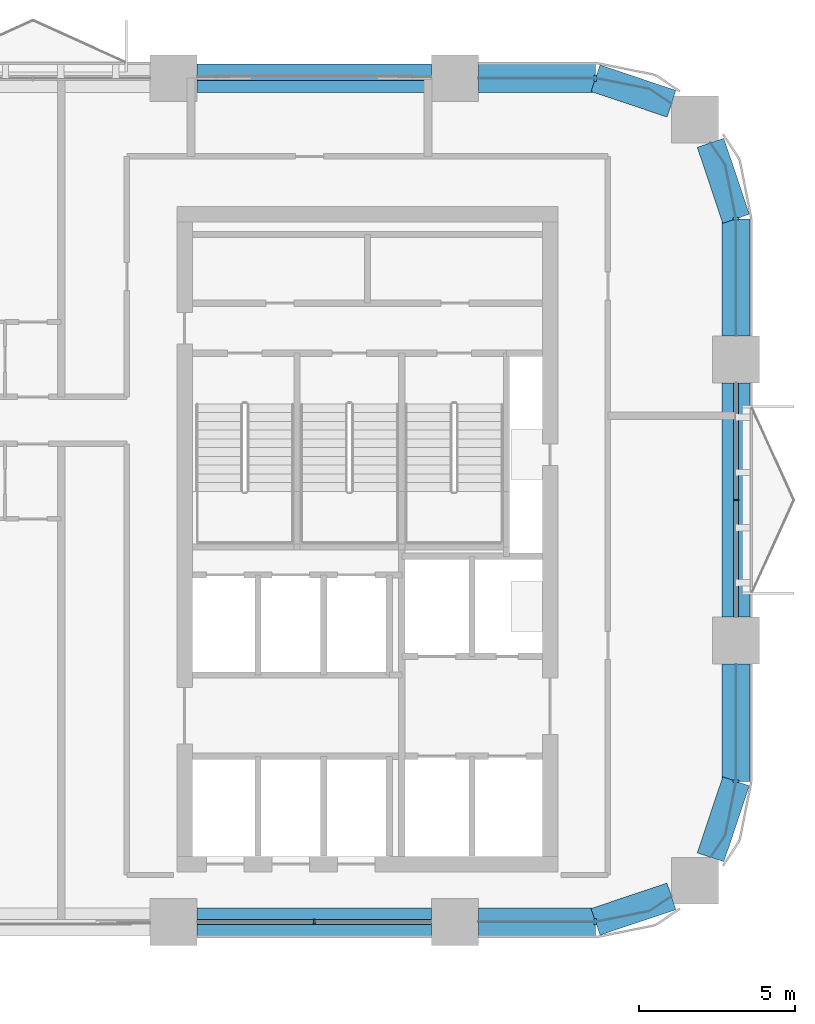
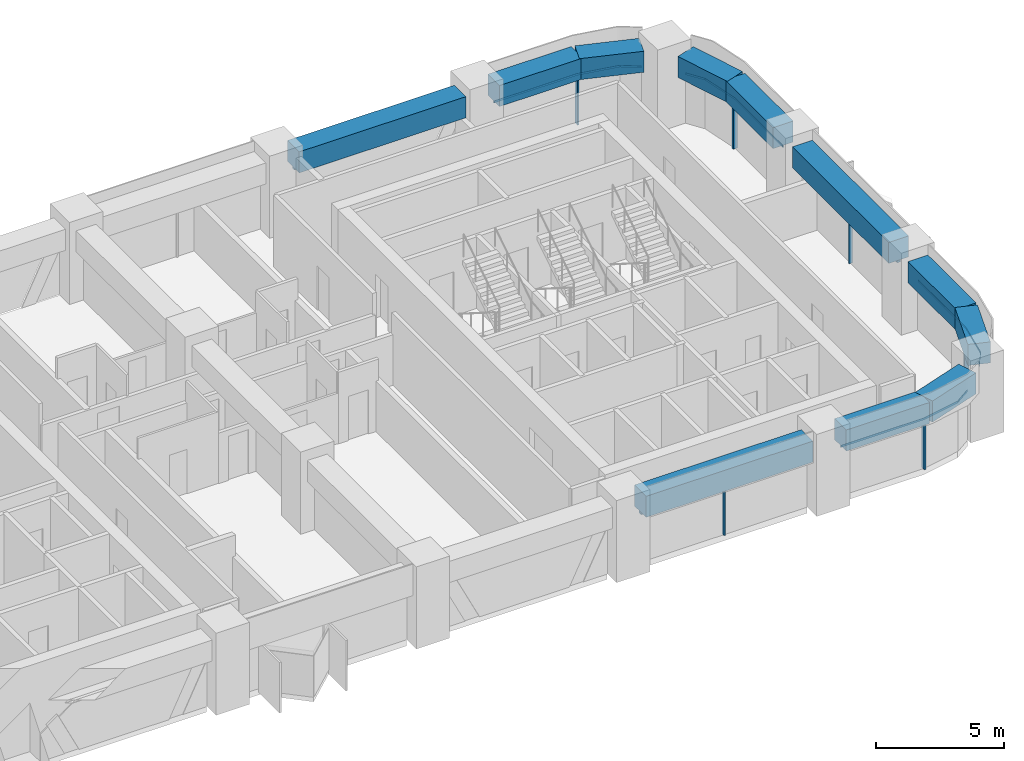
# One storey, part 5 of 14: 13 members, 11 beams, 7 elements without a shape of their own.
"""IFC4 building model written with IfcOpenShell, lengths in metres."""

from ifc_helpers import new_model, si_unit, direction, frame, origin, origin_2d, place, context, subcontext, project, spatial, polyline, rectangle, outline, extrude, material, material_profile, profile_set, type_object, element, aggregate, save


model = new_model("IFC4")

# Units and contexts
model_context = context("Model", 3, precision=1e-05, world=origin(), true_north=direction((0.0, 1.0)))
body_context = subcontext(model_context, "Body", "Model", "MODEL_VIEW")
ifc_project = project(units=[si_unit("LENGTHUNIT", "METRE"), si_unit("AREAUNIT", "SQUARE_METRE"), si_unit("VOLUMEUNIT", "CUBIC_METRE"), si_unit("PLANEANGLEUNIT", "RADIAN"), si_unit("MASSUNIT", "GRAM", prefix="KILO")], contexts=[model_context])

# Site, building, storey
site_placement = place(None, origin())
site = spatial("IfcSite", under=ifc_project, at=site_placement, CompositionType="ELEMENT")
building_placement = place(site_placement, origin())
building = spatial("IfcBuilding", under=site, at=building_placement, Name="Tessera Arch", CompositionType="ELEMENT")
storey_placement = place(building_placement, frame((0.0, 0.0, 193.39990234375)))
storey = spatial("IfcBuildingStorey", under=building, at=storey_placement, Name="L46", CompositionType="ELEMENT", Elevation=193.39990234375)

# Curtain wall, member
ifc_material_1 = material(Name="CW1 curtain wall")
curtain_wall_type_1 = type_object("IfcCurtainWallType", Name="CW1 curtain wall", PredefinedType="NOTDEFINED", material=ifc_material_1)
curtain_wall_1_placement = place(storey_placement, origin())
curtain_wall_1 = element("IfcCurtainWall", 1, at=curtain_wall_1_placement, inside=storey, type_object=curtain_wall_type_1, Name="CW1 curtain wall E54.27/0 L46", PredefinedType="NOTDEFINED")
ifc_material_2 = material(Name="Anodised aluminium pale metal", Category="aluminium")
ifc_material_profile_1 = material_profile(ifc_material_2, rectangle(XDim=0.159912109375, YDim=0.06005859375, at=origin_2d()), Name="AL 60x160")
ifc_profile_set_1 = profile_set([ifc_material_profile_1], Name="Anodised aluminium pale metal")
member_type_1 = type_object("IfcMemberType", Name="CW1 mullion", PredefinedType="MULLION", material=ifc_profile_set_1)
member_1_placement = place(storey_placement, frame((54.0, 40.5, 0.0), z_axis=(0.0, 0.0, 1.0), x_axis=(-1.0, 0.0, 0.0)))
member_1 = element("IfcMember", 2, at=member_1_placement, type_object=member_type_1, Name="CW1 mullion E54.27/0 1", PredefinedType="MULLION", context=body_context, shape_type="SweptSolid", body=[
    extrude(rectangle(XDim=0.159912109375, YDim=0.06005859375, at=origin_2d()), origin(), (0.0, 0.0, 1.0), 2.300048828125),
])

curtain_wall_2_placement = place(storey_placement, origin())
curtain_wall_2 = element("IfcCurtainWall", 3, at=curtain_wall_2_placement, inside=storey, type_object=curtain_wall_type_1, Name="CW1 curtain wall S27.0/4 L46", PredefinedType="NOTDEFINED")
member_2_placement = place(storey_placement, frame((40.5, 27.0, 0.0), z_axis=(0.0, 0.0, 1.0), x_axis=(0.0, 1.0, 0.0)))
member_2 = element("IfcMember", 4, at=member_2_placement, type_object=member_type_1, Name="CW1 mullion S27.0/4 1", PredefinedType="MULLION", context=body_context, shape_type="SweptSolid", body=[
    extrude(rectangle(XDim=0.159912109375, YDim=0.06005859375, at=origin_2d()), origin(), (0.0, 0.0, 1.0), 2.300048828125),
])

# Member
ifc_material_3 = material(Name="Anodised aluminium pale metal", Category="aluminium")
ifc_material_profile_2 = material_profile(ifc_material_3, rectangle(XDim=0.159912109375, YDim=0.10009765625, at=origin_2d()), Name="AL 160x100")
ifc_profile_set_2 = profile_set([ifc_material_profile_2], Name="Anodised aluminium pale metal")
member_type_2 = type_object("IfcMemberType", Name="CW1 transom", PredefinedType="USERDEFINED", material=ifc_profile_set_2)
member_3_placement = place(storey_placement, frame((54.0, 36.75, 2.35009765625), z_axis=(0.0, 1.0, 0.0), x_axis=(-1.0, 0.0, 0.0)))
member_3 = element("IfcMember", 5, at=member_3_placement, type_object=member_type_2, Name="CW1 transom E54.27/0 1.1", ObjectType="TRANSOM", PredefinedType="USERDEFINED", context=body_context, shape_type="SweptSolid", body=[
    extrude(rectangle(XDim=0.159912109375, YDim=0.10009765625, at=origin_2d()), origin(), (0.0, 0.0, 1.0), 7.5),
])

aggregate(curtain_wall_1, [member_1, member_3])

member_4_placement = place(storey_placement, frame((36.75, 27.0, 2.35009765625), z_axis=(1.0, 0.0, 0.0), x_axis=(0.0, 1.0, 0.0)))
member_4 = element("IfcMember", 6, at=member_4_placement, type_object=member_type_2, Name="CW1 transom S27.0/4 1.1", ObjectType="TRANSOM", PredefinedType="USERDEFINED", context=body_context, shape_type="SweptSolid", body=[
    extrude(rectangle(XDim=0.159912109375, YDim=0.10009765625, at=origin_2d()), origin(), (0.0, 0.0, 1.0), 7.5),
])

aggregate(curtain_wall_2, [member_2, member_4])

# Curtain wall, member
ifc_material_4 = material(Name="CW2 curtain wall")
curtain_wall_type_2 = type_object("IfcCurtainWallType", Name="CW2 curtain wall", PredefinedType="NOTDEFINED", material=ifc_material_4)
curtain_wall_3_placement = place(storey_placement, origin())
curtain_wall_3 = element("IfcCurtainWall", 7, at=curtain_wall_3_placement, inside=storey, type_object=curtain_wall_type_2, Name="CW2 curtain wall E54.27/1 L46", PredefinedType="NOTDEFINED")
ifc_material_5 = material(Name="Anodised aluminium pale metal", Category="aluminium")
ifc_material_profile_3 = material_profile(ifc_material_5, rectangle(XDim=0.199951171875, YDim=0.080078125, at=origin_2d()), Name="AL 80x200")
ifc_profile_set_3 = profile_set([ifc_material_profile_3], Name="Anodised aluminium pale metal")
member_type_3 = type_object("IfcMemberType", Name="CW2 mullion", PredefinedType="MULLION", material=ifc_profile_set_3)
member_5_placement = place(storey_placement, frame((54.0, 49.5, 0.0), z_axis=(0.0, 0.0, 1.0), x_axis=(-1.0, 0.0, 0.0)))
member_5 = element("IfcMember", 8, at=member_5_placement, type_object=member_type_3, Name="CW2 mullion E54.27/1 1", PredefinedType="MULLION", context=body_context, shape_type="SweptSolid", body=[
    extrude(rectangle(XDim=0.199951171875, YDim=0.080078125, at=origin_2d()), origin(), (0.0, 0.0, 1.0), 2.300048828125),
])

curtain_wall_4_placement = place(storey_placement, origin())
curtain_wall_4 = element("IfcCurtainWall", 9, at=curtain_wall_4_placement, inside=storey, type_object=curtain_wall_type_2, Name="CW2 curtain wall N54.0/0 L46", PredefinedType="NOTDEFINED")
member_6_placement = place(storey_placement, frame((49.5, 54.0, 0.0), z_axis=(0.0, 0.0, 1.0), x_axis=(0.0, -1.0, 0.0)))
member_6 = element("IfcMember", 10, at=member_6_placement, type_object=member_type_3, Name="CW2 mullion N54.0/0 1", PredefinedType="MULLION", context=body_context, shape_type="SweptSolid", body=[
    extrude(rectangle(XDim=0.199951171875, YDim=0.080078125, at=origin_2d()), origin(), (0.0, 0.0, 1.0), 2.300048828125),
])

curtain_wall_5_placement = place(storey_placement, origin())
curtain_wall_5 = element("IfcCurtainWall", 11, at=curtain_wall_5_placement, inside=storey, type_object=curtain_wall_type_2, Name="CW2 curtain wall S27.0/5 L46", PredefinedType="NOTDEFINED")
member_7_placement = place(storey_placement, frame((49.5, 27.0, 0.0), z_axis=(0.0, 0.0, 1.0), x_axis=(0.0, 1.0, 0.0)))
member_7 = element("IfcMember", 12, at=member_7_placement, type_object=member_type_3, Name="CW2 mullion S27.0/5 1", PredefinedType="MULLION", context=body_context, shape_type="SweptSolid", body=[
    extrude(rectangle(XDim=0.199951171875, YDim=0.080078125, at=origin_2d()), origin(), (0.0, 0.0, 1.0), 2.300048828125),
])

curtain_wall_6_placement = place(storey_placement, origin())
curtain_wall_6 = element("IfcCurtainWall", 13, at=curtain_wall_6_placement, inside=storey, type_object=curtain_wall_type_2, Name="CW2 curtain wall E54.27/2 L46", PredefinedType="NOTDEFINED")
member_8_placement = place(storey_placement, frame((54.0, 31.5, 0.0), z_axis=(0.0, 0.0, 1.0), x_axis=(-1.0, 0.0, 0.0)))
member_8 = element("IfcMember", 14, at=member_8_placement, type_object=member_type_3, Name="CW2 mullion E54.27/2 1", PredefinedType="MULLION", context=body_context, shape_type="SweptSolid", body=[
    extrude(rectangle(XDim=0.199951171875, YDim=0.080078125, at=origin_2d()), origin(), (0.0, 0.0, 1.0), 2.300048828125),
])

# Member
ifc_material_6 = material(Name="Anodised aluminium pale metal", Category="aluminium")
ifc_material_profile_4 = material_profile(ifc_material_6, rectangle(XDim=0.199951171875, YDim=0.10009765625, at=origin_2d()), Name="AL 200x100")
ifc_profile_set_4 = profile_set([ifc_material_profile_4], Name="Anodised aluminium pale metal")
member_type_4 = type_object("IfcMemberType", Name="CW2 transom", PredefinedType="USERDEFINED", material=ifc_profile_set_4)
member_9_placement = place(storey_placement, frame((0.0, 0.0, 2.300048828125)))
member_9 = element("IfcMember", 15, at=member_9_placement, type_object=member_type_4, Name="CW2 transom E54.27/1 1", ObjectType="TRANSOM", PredefinedType="USERDEFINED", context=body_context, shape_type="SweptSolid", body=[
    extrude(outline(polyline([(53.989990234375, 49.4990234375), (53.989990234375, 45.75), (54.010009765625, 45.75), (54.010009765625, 49.5009765625), (53.6669921875, 51.22607421875), (53.19140625, 51.9375), (53.1748046875, 51.926513671875), (53.648193359375, 51.21826171875), (53.989990234375, 49.4990234375)])), origin(), (0.0, 0.0, 1.0), 0.10009765625),
])

aggregate(curtain_wall_3, [member_5, member_9])

member_10_placement = place(storey_placement, frame((0.0, 0.0, 2.300048828125)))
member_10 = element("IfcMember", 16, at=member_10_placement, type_object=member_type_4, Name="CW2 transom N54.0/0 1", ObjectType="TRANSOM", PredefinedType="USERDEFINED", context=body_context, shape_type="SweptSolid", body=[
    extrude(outline(polyline([(51.21826171875, 53.648193359375), (51.926513671875, 53.1748046875), (51.9375, 53.19140625), (51.22607421875, 53.6669921875), (49.5009765625, 54.010009765625), (45.75, 54.010009765625), (45.75, 53.989990234375), (49.4990234375, 53.989990234375), (51.21826171875, 53.648193359375)])), origin(), (0.0, 0.0, 1.0), 0.10009765625),
])

aggregate(curtain_wall_4, [member_6, member_10])

member_11_placement = place(storey_placement, frame((0.0, 0.0, 2.300048828125)))
member_11 = element("IfcMember", 17, at=member_11_placement, type_object=member_type_4, Name="CW2 transom S27.0/5 1", ObjectType="TRANSOM", PredefinedType="USERDEFINED", context=body_context, shape_type="SweptSolid", body=[
    extrude(outline(polyline([(49.4990234375, 27.010009765625), (45.75, 27.010009765625), (45.75, 26.989990234375), (49.5009765625, 26.989990234375), (51.22607421875, 27.3330078125), (51.9375, 27.80859375), (51.926513671875, 27.8251953125), (51.21826171875, 27.351806640625), (49.4990234375, 27.010009765625)])), origin(), (0.0, 0.0, 1.0), 0.10009765625),
])

aggregate(curtain_wall_5, [member_7, member_11])

member_12_placement = place(storey_placement, frame((0.0, 0.0, 2.300048828125)))
member_12 = element("IfcMember", 18, at=member_12_placement, type_object=member_type_4, Name="CW2 transom E54.27/2 1", ObjectType="TRANSOM", PredefinedType="USERDEFINED", context=body_context, shape_type="SweptSolid", body=[
    extrude(outline(polyline([(53.648193359375, 29.78173828125), (53.1748046875, 29.073486328125), (53.19140625, 29.0625), (53.6669921875, 29.77392578125), (54.010009765625, 31.4990234375), (54.010009765625, 35.25), (53.989990234375, 35.25), (53.989990234375, 31.5009765625), (53.648193359375, 29.78173828125)])), origin(), (0.0, 0.0, 1.0), 0.10009765625),
])

aggregate(curtain_wall_6, [member_8, member_12])

# Curtain wall, member
ifc_material_7 = material(Name="CW3 curtain wall")
curtain_wall_type_3 = type_object("IfcCurtainWallType", Name="CW3 curtain wall", PredefinedType="NOTDEFINED", material=ifc_material_7)
curtain_wall_7_placement = place(storey_placement, origin())
curtain_wall_7 = element("IfcCurtainWall", 19, at=curtain_wall_7_placement, inside=storey, type_object=curtain_wall_type_3, Name="CW3 curtain wall N54.0/1 L46", PredefinedType="NOTDEFINED")
ifc_material_8 = material(Name="Anodised aluminium pale metal", Category="aluminium")
ifc_material_profile_5 = material_profile(ifc_material_8, rectangle(XDim=0.139892578125, YDim=0.10009765625, at=origin_2d()), Name="AL 140x100")
ifc_profile_set_5 = profile_set([ifc_material_profile_5], Name="Anodised aluminium pale metal")
member_type_5 = type_object("IfcMemberType", Name="CW3 transom", PredefinedType="USERDEFINED", material=ifc_profile_set_5)
member_13_placement = place(storey_placement, frame((44.25, 54.0, 2.35009765625), z_axis=(-1.0, 0.0, 0.0), x_axis=(0.0, -1.0, 0.0)))
member_13 = element("IfcMember", 20, at=member_13_placement, type_object=member_type_5, Name="CW3 transom N54.0/1 1.1", ObjectType="TRANSOM", PredefinedType="USERDEFINED", context=body_context, shape_type="SweptSolid", body=[
    extrude(rectangle(XDim=0.139892578125, YDim=0.10009765625, at=origin_2d()), origin(), (0.0, 0.0, 1.0), 7.5),
])
aggregate(curtain_wall_7, [member_13])

# Beams
ifc_material_9 = material(Name="Concrete C70/85", Category="concrete")
ifc_material_profile_6 = material_profile(ifc_material_9, rectangle(XDim=0.89990234375, YDim=1.0, at=origin_2d()), Name="RC spandrel beam 900 x 1000 Concrete C70/85")
ifc_profile_set_6 = profile_set([ifc_material_profile_6], Name="Concrete C70/85")
beam_type = type_object("IfcBeamType", Name="RC spandrel beam 900 x 1000 Concrete C70/85", PredefinedType="BEAM", material=ifc_profile_set_6)
beam_1_placement = place(storey_placement, frame((54.0, 36.75, 2.900146484375), z_axis=(0.0, 1.0, 0.0), x_axis=(-1.0, 0.0, 0.0)))
element("IfcBeam", 21, at=beam_1_placement, inside=storey, type_object=beam_type, Name="Spandrel beam L46 E54.27/0", PredefinedType="BEAM", context=body_context, shape_type="SweptSolid", body=[
    extrude(rectangle(XDim=0.89990234375, YDim=1.0, at=origin_2d()), origin(), (0.0, 0.0, 1.0), 7.5),
])
beam_2_placement = place(storey_placement, frame((54.0, 45.75, 2.900146484375), z_axis=(0.0, 1.0, 0.0), x_axis=(-1.0, 0.0, 0.0)))
element("IfcBeam", 22, at=beam_2_placement, inside=storey, type_object=beam_type, Name="Spandrel beam L46 E54.27/1.1", PredefinedType="BEAM", context=body_context, shape_type="SweptSolid", body=[
    extrude(rectangle(XDim=0.89990234375, YDim=1.0, at=origin_2d()), origin(), (0.0, 0.0, 1.0), 3.75),
])
for number, where, z_axis, x_axis, name in (
    (23, (54.0, 49.5, 2.900146484375), (-0.31842525032, 0.947947973234, 0.0), (-0.947947973234, -0.31842525032, 0.0), "Spandrel beam L46 E54.27/1.2"),
    (24, (51.931884765625, 53.18310546875, 2.900146484375), (-0.947947973234, 0.31842525032, 0.0), (-0.31842525032, -0.947947973234, 0.0), "Spandrel beam L46 N54.0/0.1"),
):
    element("IfcBeam", number, at=place(storey_placement, frame(where, z_axis=z_axis, x_axis=x_axis)), inside=storey, type_object=beam_type, Name=name, PredefinedType="BEAM", context=body_context, shape_type="SweptSolid", body=[
        extrude(rectangle(XDim=0.89990234375, YDim=1.0, at=origin_2d()), origin(), (0.0, 0.0, 1.0), 2.5654296875),
    ])
beam_3_placement = place(storey_placement, frame((49.5, 54.0, 2.900146484375), z_axis=(-1.0, 0.0, 0.0), x_axis=(0.0, -1.0, 0.0)))
element("IfcBeam", 25, at=beam_3_placement, inside=storey, type_object=beam_type, Name="Spandrel beam L46 N54.0/0.2", PredefinedType="BEAM", context=body_context, shape_type="SweptSolid", body=[
    extrude(rectangle(XDim=0.89990234375, YDim=1.0, at=origin_2d()), origin(), (0.0, 0.0, 1.0), 3.75),
])
for number, where, z_axis, x_axis, name in (
    (26, (44.25, 54.0, 2.900146484375), (-1.0, 0.0, 0.0), (0.0, -1.0, 0.0), "Spandrel beam L46 N54.0/1"),
    (27, (36.75, 27.0, 2.900146484375), (1.0, 0.0, 0.0), (0.0, 1.0, 0.0), "Spandrel beam L46 S27.0/4"),
):
    element("IfcBeam", number, at=place(storey_placement, frame(where, z_axis=z_axis, x_axis=x_axis)), inside=storey, type_object=beam_type, Name=name, PredefinedType="BEAM", context=body_context, shape_type="SweptSolid", body=[
        extrude(rectangle(XDim=0.89990234375, YDim=1.0, at=origin_2d()), origin(), (0.0, 0.0, 1.0), 7.5),
    ])
beam_4_placement = place(storey_placement, frame((45.75, 27.0, 2.900146484375), z_axis=(1.0, 0.0, 0.0), x_axis=(0.0, 1.0, 0.0)))
element("IfcBeam", 28, at=beam_4_placement, inside=storey, type_object=beam_type, Name="Spandrel beam L46 S27.0/5.1", PredefinedType="BEAM", context=body_context, shape_type="SweptSolid", body=[
    extrude(rectangle(XDim=0.89990234375, YDim=1.0, at=origin_2d()), origin(), (0.0, 0.0, 1.0), 3.75),
])
for number, where, z_axis, x_axis, name in (
    (29, (49.5, 27.0, 2.900146484375), (0.947947973234, 0.31842525032, 0.0), (-0.31842525032, 0.947947973234, 0.0), "Spandrel beam L46 S27.0/5.2"),
    (30, (53.18310546875, 29.068115234375, 2.900146484375), (0.31842525032, 0.947947973234, 0.0), (-0.947947973234, 0.31842525032, 0.0), "Spandrel beam L46 E54.27/2.1"),
):
    element("IfcBeam", number, at=place(storey_placement, frame(where, z_axis=z_axis, x_axis=x_axis)), inside=storey, type_object=beam_type, Name=name, PredefinedType="BEAM", context=body_context, shape_type="SweptSolid", body=[
        extrude(rectangle(XDim=0.89990234375, YDim=1.0, at=origin_2d()), origin(), (0.0, 0.0, 1.0), 2.5654296875),
    ])
beam_5_placement = place(storey_placement, frame((54.0, 31.5, 2.900146484375), z_axis=(0.0, 1.0, 0.0), x_axis=(-1.0, 0.0, 0.0)))
element("IfcBeam", 31, at=beam_5_placement, inside=storey, type_object=beam_type, Name="Spandrel beam L46 E54.27/2.2", PredefinedType="BEAM", context=body_context, shape_type="SweptSolid", body=[
    extrude(rectangle(XDim=0.89990234375, YDim=1.0, at=origin_2d()), origin(), (0.0, 0.0, 1.0), 3.75),
])

save(model, "model.ifc")
